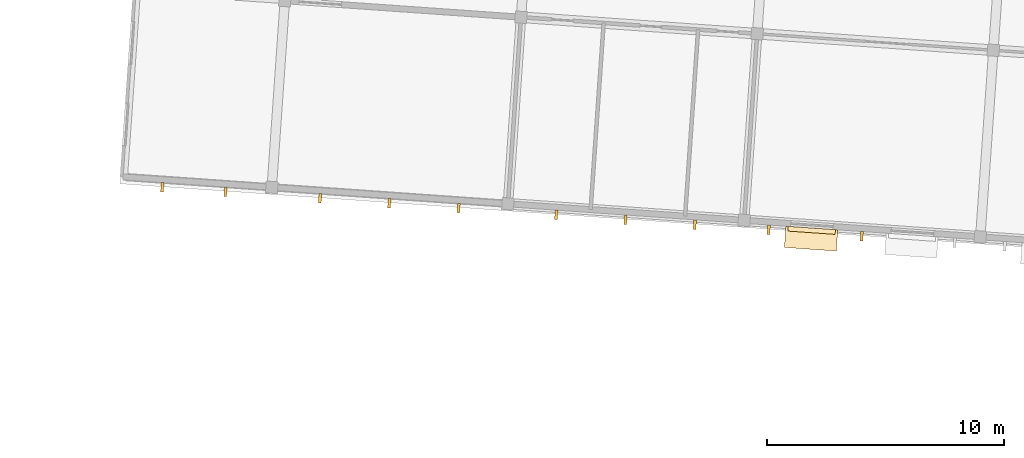
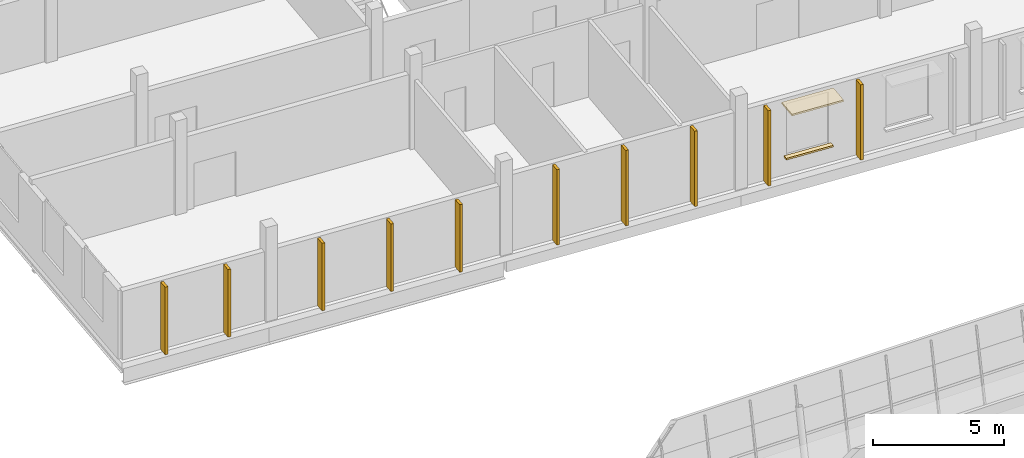
# One storey, part 87 of 95: 10 shading devices, 2 coverings.
"""IFC4 building model written with IfcOpenShell, lengths in metres."""

import ifcopenshell
import ifcopenshell.guid

model = None  # the IFC model being written
_history = None  # IfcOwnerHistory: only IFC2X3 demands one
_inside = {}  # id of a spatial element -> (the spatial element, [elements in it])
_under = {}  # id of a project, library or spatial element -> (it, [spatial elements below it])
_declared = {}  # id of a project -> (the project, [libraries it declares])
_typed = {}  # id of a type object -> (the type object, [elements of that type])
_made_of = {}  # id of a material, layer set ... -> (it, [elements and type objects made of it])


def new_model(schema):
    """Start an empty IFC model of exactly this schema.

    Asked for "IFC4X3", IfcOpenShell would pick the latest addendum, in which some entities
    have other attributes; the version numbers below select the first issue.
    IFC2X3 requires an IfcOwnerHistory on every rooted entity: one is made here for all.
    """
    global model, _history
    if schema == "IFC4X3":
        model = ifcopenshell.file(schema_version=(4, 3, 0, 0))
    else:
        model = ifcopenshell.file(schema=schema)
    _inside.clear()
    _under.clear()
    _declared.clear()
    _typed.clear()
    _made_of.clear()
    _history = None
    if model.schema == "IFC2X3":
        org = make("IfcOrganization", Name="unknown")
        user = make(
            "IfcPersonAndOrganization",
            ThePerson=make("IfcPerson", FamilyName="unknown"),
            TheOrganization=org,
        )
        app = make(
            "IfcApplication",
            ApplicationDeveloper=org,
            Version="unknown",
            ApplicationFullName="unknown",
            ApplicationIdentifier="unknown",
        )
        _history = make(
            "IfcOwnerHistory",
            OwningUser=user,
            OwningApplication=app,
            ChangeAction="ADDED",
            CreationDate=0,
        )
    return model


def make(cls, **values):
    """One entity of the class cls with the attributes given. An attribute that is None is left unset."""
    return model.create_entity(
        cls, **{name: value for name, value in values.items() if value is not None}
    )


def rooted(cls, **values):
    """An entity with a GlobalId (a new one), such as an element, a storey or a relation."""
    return make(cls, GlobalId=ifcopenshell.guid.new(), OwnerHistory=_history, **values)


def si_unit(unit_type, name, prefix=None):
    """IfcSIUnit, for example si_unit("LENGTHUNIT", "METRE", prefix="MILLI")."""
    return make("IfcSIUnit", UnitType=unit_type, Prefix=prefix, Name=name)


def assignment(units):
    """IfcUnitAssignment: the units of a project."""
    return None if units is None else make("IfcUnitAssignment", Units=units)


def point(xyz):
    """IfcCartesianPoint."""
    return None if xyz is None else make("IfcCartesianPoint", Coordinates=xyz)


def direction(xyz):
    """IfcDirection."""
    return None if xyz is None else make("IfcDirection", DirectionRatios=xyz)


def frame(location, z_axis=None, x_axis=None):
    """IfcAxis2Placement3D, a coordinate frame: its origin and axes. An axis left out is left unset."""
    return make(
        "IfcAxis2Placement3D",
        Location=point(location),
        Axis=direction(z_axis),
        RefDirection=direction(x_axis),
    )


def origin():
    """The frame at (0, 0, 0) with its axes left unset."""
    return frame((0.0, 0.0, 0.0))


def place(relative_to, where):
    """IfcLocalPlacement: puts the frame where relative to a parent placement (None: the world)."""
    return make(
        "IfcLocalPlacement", PlacementRelTo=relative_to, RelativePlacement=where
    )


def context(
    kind, dimensions, precision=None, world=None, true_north=None, identifier=None
):
    """IfcGeometricRepresentationContext, for example the 3D "Model" context."""
    return make(
        "IfcGeometricRepresentationContext",
        ContextIdentifier=identifier,
        ContextType=kind,
        CoordinateSpaceDimension=dimensions,
        Precision=precision,
        WorldCoordinateSystem=world,
        TrueNorth=true_north,
    )


def subcontext(parent, identifier, kind, view, scale=None):
    """IfcGeometricRepresentationSubContext, for example "Body" below "Model"."""
    return make(
        "IfcGeometricRepresentationSubContext",
        ContextIdentifier=identifier,
        ContextType=kind,
        ParentContext=parent,
        TargetScale=scale,
        TargetView=view,
    )


def project(units=None, contexts=None):
    """IfcProject with its units and contexts."""
    return rooted(
        "IfcProject",
        Name="project",
        RepresentationContexts=contexts,
        UnitsInContext=assignment(units),
    )


def spatial(cls, under=None, at=None, **own):
    """A site, building, storey or space (cls), placed at a placement, below another one or the project."""
    s = rooted(cls, ObjectPlacement=at, **own)
    if under is not None:
        _under.setdefault(under.id(), (under, []))[1].append(s)
    return s


def polyline(points):
    """IfcPolyline through the points."""
    return make("IfcPolyline", Points=[point(p) for p in points])


def outline(outer, holes=None, kind="AREA"):
    """IfcArbitraryClosedProfileDef: a profile drawn as a closed curve; with holes, ...WithVoids."""
    if holes is None:
        return make("IfcArbitraryClosedProfileDef", ProfileType=kind, OuterCurve=outer)
    return make(
        "IfcArbitraryProfileDefWithVoids",
        ProfileType=kind,
        OuterCurve=outer,
        InnerCurves=holes,
    )


def extrude(swept, where, along, depth):
    """IfcExtrudedAreaSolid: the profile swept, set in the frame where, extruded along a direction by depth."""
    return make(
        "IfcExtrudedAreaSolid",
        SweptArea=swept,
        Position=where,
        ExtrudedDirection=direction(along),
        Depth=depth,
    )


def shape(context_of_items, identifier, shape_type, items):
    """IfcShapeRepresentation: the items that make up one representation, for example the "Body"."""
    return make(
        "IfcShapeRepresentation",
        ContextOfItems=context_of_items,
        RepresentationIdentifier=identifier,
        RepresentationType=shape_type,
        Items=items,
    )


def material(Name=None, Category=None):
    """IfcMaterial."""
    return make("IfcMaterial", Name=Name, Category=Category)


def layer(
    of_material, thickness, ventilated=None, Name=None, Category=None, Priority=None
):
    """IfcMaterialLayer: one layer of a wall or slab, of a material (None: an air gap)."""
    return make(
        "IfcMaterialLayer",
        Material=of_material,
        LayerThickness=thickness,
        IsVentilated=ventilated,
        Name=Name,
        Category=Category,
        Priority=Priority,
    )


def layer_set(layers, Name=None):
    """IfcMaterialLayerSet."""
    return make("IfcMaterialLayerSet", MaterialLayers=layers, LayerSetName=Name)


def made_of(thing, what):
    """Note that an element or type object is made of a material, layer set ...; save() writes the relation."""
    if what is not None:
        _made_of.setdefault(what.id(), (what, []))[1].append(thing)
    return thing


def type_object(cls, material=None, **own):
    """A type object (cls), such as IfcWallType, which elements share."""
    return made_of(rooted(cls, **own), material)


def element(
    cls,
    number,
    at=None,
    inside=None,
    cuts=None,
    type_object=None,
    material=None,
    context=None,
    identifier="Body",
    shape_type=None,
    held_by="IfcProductDefinitionShape",
    body=None,
    shapes=None,
    **own,
):
    """One element of the class cls, such as IfcWall. Its Tag is "e" and its number.

    at: its placement. inside: the storey or other place that contains it. cuts: it is an
    opening in that element (IfcRelVoidsElement). A single representation is given by context,
    identifier, shape_type and body (its items); several are given by shapes. held_by: the class
    of the entity that holds the representations. save() writes the other relations.
    """
    e = rooted(cls, Tag="e%d" % number, ObjectPlacement=at, **own)
    if body is not None:
        shapes = [shape(context, identifier, shape_type, body)]
    if shapes is not None:
        e.Representation = make(held_by, Representations=shapes)
    if inside is not None:
        _inside.setdefault(inside.id(), (inside, []))[1].append(e)
    if cuts is not None:
        rooted(
            "IfcRelVoidsElement", RelatingBuildingElement=cuts, RelatedOpeningElement=e
        )
    if type_object is not None:
        _typed.setdefault(type_object.id(), (type_object, []))[1].append(e)
    return made_of(e, material)


def aggregate(whole, parts):
    """IfcRelAggregates: a whole, such as a stair, and the parts it consists of."""
    return rooted("IfcRelAggregates", RelatingObject=whole, RelatedObjects=parts)


def save(model, path):
    """Write the relations noted so far, then the file.

    IfcRelAggregates (storeys below a building ...), IfcRelContainedInSpatialStructure (elements
    in a storey), IfcRelDefinesByType, IfcRelAssociatesMaterial and IfcRelDeclares: one each for
    every whole, place, type object, material and project.
    """
    for whole, parts in _under.values():
        aggregate(whole, parts)
    for where, things in _inside.values():
        rooted(
            "IfcRelContainedInSpatialStructure",
            RelatedElements=things,
            RelatingStructure=where,
        )
    for kind, things in _typed.values():
        rooted("IfcRelDefinesByType", RelatedObjects=things, RelatingType=kind)
    for what, things in _made_of.values():
        rooted("IfcRelAssociatesMaterial", RelatedObjects=things, RelatingMaterial=what)
    for by, libraries in _declared.values():
        rooted("IfcRelDeclares", RelatingContext=by, RelatedDefinitions=libraries)
    model.write(path)


model = new_model("IFC4")

# Units and contexts
model_context = context("Model", 3, precision=1e-05, world=origin(), true_north=direction((0.0, 1.0)))
body_context = subcontext(model_context, "Body", "Model", "MODEL_VIEW")
ifc_project = project(units=[si_unit("LENGTHUNIT", "METRE"), si_unit("AREAUNIT", "SQUARE_METRE"), si_unit("VOLUMEUNIT", "CUBIC_METRE"), si_unit("PLANEANGLEUNIT", "RADIAN"), si_unit("MASSUNIT", "GRAM", prefix="KILO")], contexts=[model_context])

# Site, building, storey
site_placement = place(None, origin())
site = spatial("IfcSite", under=ifc_project, at=site_placement, CompositionType="ELEMENT")
building_placement = place(site_placement, origin())
building = spatial("IfcBuilding", under=site, at=building_placement, Name="Windward Yard Aquatics Centre", CompositionType="ELEMENT")
storey_placement = place(building_placement, frame((0.0, 0.0, 9.39990234375)))
storey = spatial("IfcBuildingStorey", under=building, at=storey_placement, Name="L02", CompositionType="ELEMENT", Elevation=9.39990234375)

# Shading devices
ifc_material_1 = material(Name="Timber-look aluminium batten, powder coated", Category="wood")
shading_device_type = type_object("IfcShadingDeviceType", Name="W vertical fin 120x400", PredefinedType="USERDEFINED", material=ifc_material_1)
shading_device_1_placement = place(storey_placement, origin())
element("IfcShadingDevice", 1, at=shading_device_1_placement, inside=storey, type_object=shading_device_type, Name="Vertical fin W.FW.L02.S.30.2.1.1", ObjectType="FIN", PredefinedType="USERDEFINED", context=body_context, shape_type="SweptSolid", body=[
    extrude(outline(polyline([(103.16552734375, 116.667236328125), (103.193359375, 117.06640625), (103.31298828125, 117.05810546875), (103.28515625, 116.658935546875), (103.16552734375, 116.667236328125)])), origin(), (0.0, 0.0, 1.0), 3.156005859375),
])
shading_device_2_placement = place(storey_placement, origin())
element("IfcShadingDevice", 2, at=shading_device_2_placement, inside=storey, type_object=shading_device_type, Name="Vertical fin W.FW.L02.S.30.2.1.2", ObjectType="FIN", PredefinedType="USERDEFINED", context=body_context, shape_type="SweptSolid", body=[
    extrude(outline(polyline([(105.833984375, 116.480712890625), (105.86181640625, 116.879638671875), (105.981689453125, 116.871337890625), (105.95361328125, 116.472412109375), (105.833984375, 116.480712890625)])), origin(), (0.0, 0.0, 1.0), 3.156005859375),
])
shading_device_3_placement = place(storey_placement, origin())
element("IfcShadingDevice", 3, at=shading_device_3_placement, inside=storey, type_object=shading_device_type, Name="Vertical fin W.FW.L02.S.36.8.1.1", ObjectType="FIN", PredefinedType="USERDEFINED", context=body_context, shape_type="SweptSolid", body=[
    extrude(outline(polyline([(109.828369140625, 116.201416015625), (109.856201171875, 116.6005859375), (109.97607421875, 116.592041015625), (109.947998046875, 116.193115234375), (109.828369140625, 116.201416015625)])), origin(), (0.0, 0.0, 1.0), 3.156005859375),
])
shading_device_4_placement = place(storey_placement, origin())
element("IfcShadingDevice", 4, at=shading_device_4_placement, inside=storey, type_object=shading_device_type, Name="Vertical fin W.FW.L02.S.36.8.1.2", ObjectType="FIN", PredefinedType="USERDEFINED", context=body_context, shape_type="SweptSolid", body=[
    extrude(outline(polyline([(112.754638671875, 115.996826171875), (112.782470703125, 116.395751953125), (112.902099609375, 116.387451171875), (112.874267578125, 115.98828125), (112.754638671875, 115.996826171875)])), origin(), (0.0, 0.0, 1.0), 3.156005859375),
])
shading_device_5_placement = place(storey_placement, origin())
element("IfcShadingDevice", 5, at=shading_device_5_placement, inside=storey, type_object=shading_device_type, Name="Vertical fin W.FW.L02.S.36.8.1.3", ObjectType="FIN", PredefinedType="USERDEFINED", context=body_context, shape_type="SweptSolid", body=[
    extrude(outline(polyline([(115.680908203125, 115.792236328125), (115.708740234375, 116.191162109375), (115.828369140625, 116.182861328125), (115.800537109375, 115.78369140625), (115.680908203125, 115.792236328125)])), origin(), (0.0, 0.0, 1.0), 3.156005859375),
])
shading_device_6_placement = place(storey_placement, origin())
element("IfcShadingDevice", 6, at=shading_device_6_placement, inside=storey, type_object=shading_device_type, Name="Vertical fin W.FW.L02.S.46.8.1.1", ObjectType="FIN", PredefinedType="USERDEFINED", context=body_context, shape_type="SweptSolid", body=[
    extrude(outline(polyline([(119.80419921875, 115.50390625), (119.83203125, 115.90283203125), (119.95166015625, 115.89453125), (119.923828125, 115.49560546875), (119.80419921875, 115.50390625)])), origin(), (0.0, 0.0, 1.0), 3.52001953125),
])
shading_device_7_placement = place(storey_placement, origin())
element("IfcShadingDevice", 7, at=shading_device_7_placement, inside=storey, type_object=shading_device_type, Name="Vertical fin W.FW.L02.S.46.8.1.2", ObjectType="FIN", PredefinedType="USERDEFINED", context=body_context, shape_type="SweptSolid", body=[
    extrude(outline(polyline([(122.730224609375, 115.29931640625), (122.758056640625, 115.6982421875), (122.877685546875, 115.68994140625), (122.849853515625, 115.290771484375), (122.730224609375, 115.29931640625)])), origin(), (0.0, 0.0, 1.0), 3.52001953125),
])
shading_device_8_placement = place(storey_placement, origin())
element("IfcShadingDevice", 8, at=shading_device_8_placement, inside=storey, type_object=shading_device_type, Name="Vertical fin W.FW.L02.S.46.8.1.3", ObjectType="FIN", PredefinedType="USERDEFINED", context=body_context, shape_type="SweptSolid", body=[
    extrude(outline(polyline([(125.656494140625, 115.094482421875), (125.684326171875, 115.49365234375), (125.803955078125, 115.485107421875), (125.776123046875, 115.086181640625), (125.656494140625, 115.094482421875)])), origin(), (0.0, 0.0, 1.0), 3.52001953125),
])
shading_device_9_placement = place(storey_placement, origin())
element("IfcShadingDevice", 9, at=shading_device_9_placement, inside=storey, type_object=shading_device_type, Name="Vertical fin W.FW.L02.S.56.8.1.1", ObjectType="FIN", PredefinedType="USERDEFINED", context=body_context, shape_type="SweptSolid", body=[
    extrude(outline(polyline([(128.77783203125, 114.876220703125), (128.805908203125, 115.275390625), (128.925537109375, 115.266845703125), (128.897705078125, 114.867919921875), (128.77783203125, 114.876220703125)])), origin(), (0.0, 0.0, 1.0), 3.52001953125),
])
shading_device_10_placement = place(storey_placement, origin())
element("IfcShadingDevice", 10, at=shading_device_10_placement, inside=storey, type_object=shading_device_type, Name="Vertical fin W.FW.L02.S.56.8.2.1", ObjectType="FIN", PredefinedType="USERDEFINED", context=body_context, shape_type="SweptSolid", body=[
    extrude(outline(polyline([(132.705810546875, 114.6015625), (132.73388671875, 115.00048828125), (132.853515625, 114.9921875), (132.82568359375, 114.59326171875), (132.705810546875, 114.6015625)])), origin(), (0.0, 0.0, 1.0), 3.52001953125),
])

# Coverings
ifc_material_2 = material(Name="Aluminium composite hood, powder coated", Category="aluminium")
ifc_layer_1 = layer(ifc_material_2, 0.080078125)
ifc_layer_set_1 = layer_set([ifc_layer_1], Name="W window hood aluminium 2200x900")
covering_type_1 = type_object("IfcCoveringType", Name="W window hood aluminium 2200x900", PredefinedType="CLADDING", material=ifc_layer_set_1)
covering_1_placement = place(storey_placement, frame((0.0, 0.0, 3.35009765625)))
element("IfcCovering", 11, at=covering_1_placement, inside=storey, type_object=covering_type_1, Name="Window hood W2501", PredefinedType="CLADDING", context=body_context, shape_type="SweptSolid", body=[
    extrude(outline(polyline([(129.513671875, 114.323486328125), (129.576416015625, 115.221435546875), (131.77099609375, 115.068115234375), (131.708251953125, 114.170166015625), (129.513671875, 114.323486328125)])), origin(), (0.0, 0.0, 1.0), 0.080078125),
])
ifc_material_3 = material(Name="Limestone sill", Category="masonry")
ifc_layer_2 = layer(ifc_material_3, 0.080078125)
ifc_layer_set_2 = layer_set([ifc_layer_2], Name="W window sill stone 2000x200")
covering_type_2 = type_object("IfcCoveringType", Name="W window sill stone 2000x200", PredefinedType="CLADDING", material=ifc_layer_set_2)
covering_2_placement = place(storey_placement, frame((0.0, 0.0, 0.820068359375)))
element("IfcCovering", 12, at=covering_2_placement, inside=storey, type_object=covering_type_2, Name="Window sill W2501", PredefinedType="CLADDING", context=body_context, shape_type="SweptSolid", body=[
    extrude(outline(polyline([(129.662353515625, 115.014892578125), (129.67626953125, 115.21435546875), (131.67138671875, 115.074951171875), (131.657470703125, 114.87548828125), (129.662353515625, 115.014892578125)])), origin(), (0.0, 0.0, 1.0), 0.080078125),
])

save(model, "model.ifc")
